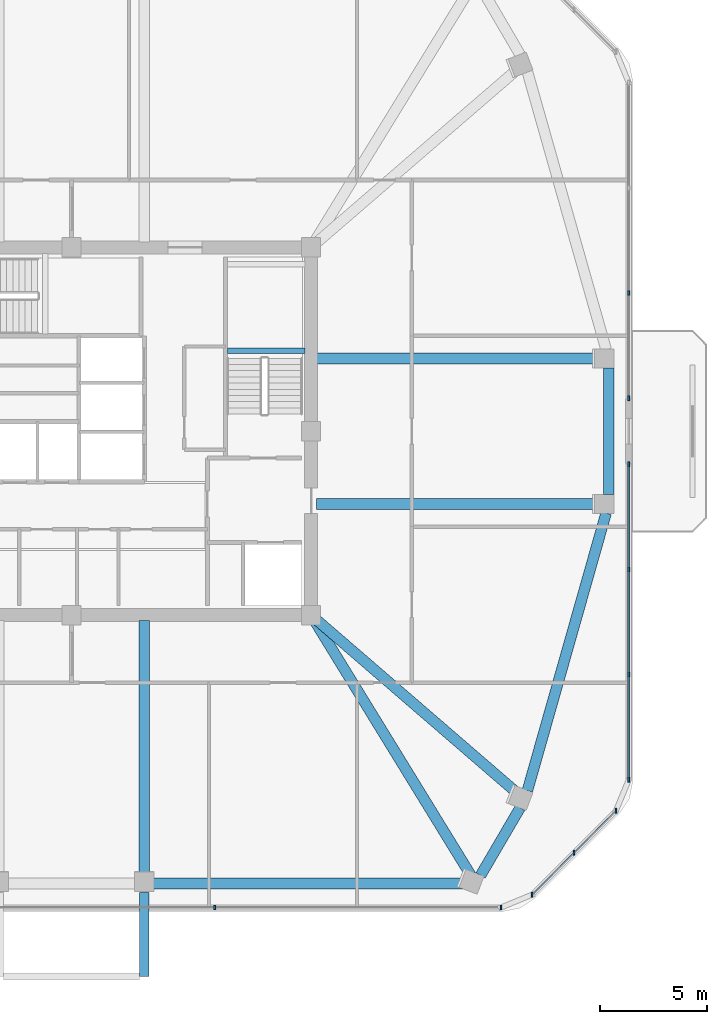
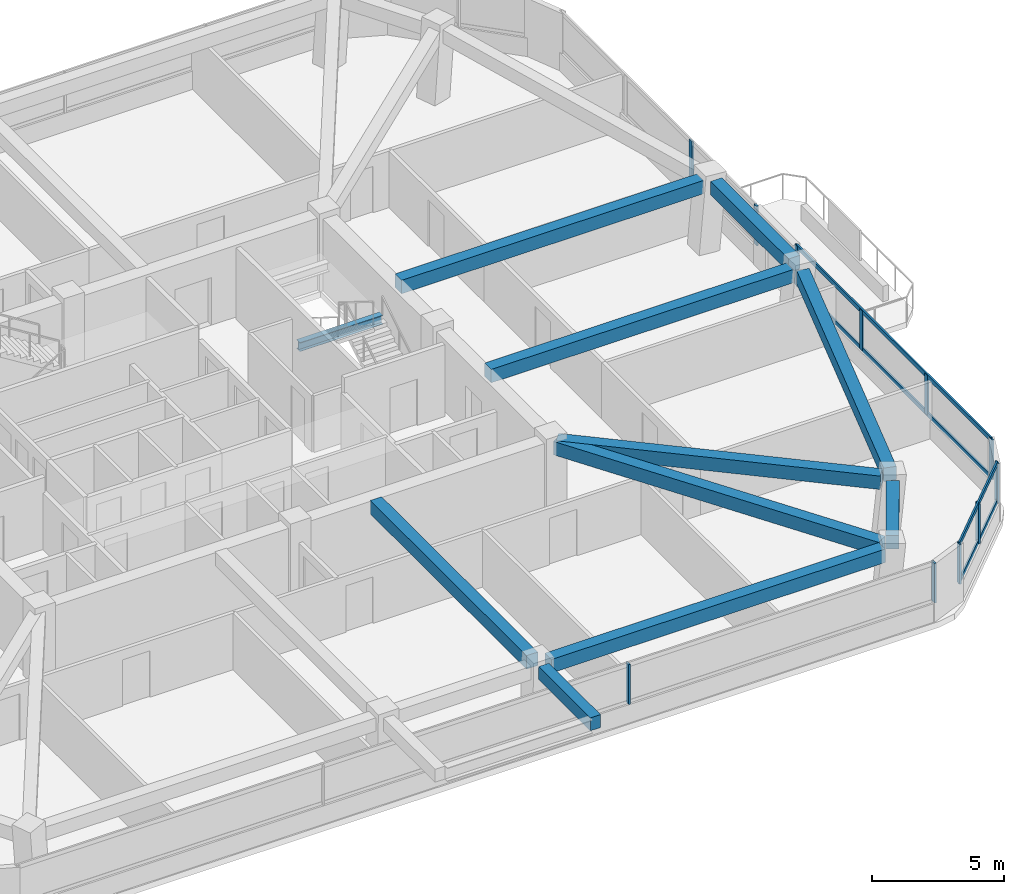
# One storey, part 5 of 14: 15 members, 11 beams, 4 elements without a shape of their own.
"""IFC4 building model written with IfcOpenShell, lengths in metres."""

from ifc_helpers import new_model, si_unit, derived_unit, direction, frame, origin, origin_2d, place, context, subcontext, project, spatial, rectangle, i_section, extrude, material, material_profile, profile_set, type_object, element, aggregate, save


model = new_model("IFC4")

# Units and contexts
model_context = context("Model", 3, precision=1e-05, world=origin(), true_north=direction((0.0, 1.0)))
body_context = subcontext(model_context, "Body", "Model", "MODEL_VIEW")
ifc_project = project(units=[si_unit("LENGTHUNIT", "METRE"), si_unit("AREAUNIT", "SQUARE_METRE"), si_unit("VOLUMEUNIT", "CUBIC_METRE"), si_unit("PLANEANGLEUNIT", "RADIAN"), si_unit("MASSUNIT", "GRAM", prefix="KILO"), derived_unit("THERMALTRANSMITTANCEUNIT", [(si_unit("POWERUNIT", "WATT"), 1), (si_unit("LENGTHUNIT", "METRE"), -2), (si_unit("THERMODYNAMICTEMPERATUREUNIT", "KELVIN"), -1)])], contexts=[model_context])

# Site, building, storey
site_placement = place(None, origin())
site = spatial("IfcSite", under=ifc_project, at=site_placement, CompositionType="ELEMENT")
building_placement = place(site_placement, origin())
building = spatial("IfcBuilding", under=site, at=building_placement, Name="Koralith Skygarden Medical Center", CompositionType="ELEMENT")
storey_placement = place(building_placement, frame((0.0, 0.0, 210.780029296875)))
storey = spatial("IfcBuildingStorey", under=building, at=storey_placement, Name="L54", CompositionType="ELEMENT", Elevation=210.780029296875)

# Curtain wall, members
ifc_material_1 = material(Name="Clear Laminated Glass", Category="glass")
curtain_wall_type = type_object("IfcCurtainWallType", Name="CW-5 Zone 4 Flare Biophilic Curtain Wall", PredefinedType="NOTDEFINED", material=ifc_material_1)
curtain_wall_1_placement = place(storey_placement, origin())
curtain_wall_1 = element("IfcCurtainWall", 1, at=curtain_wall_1_placement, inside=storey, type_object=curtain_wall_type, Name="Curtain Wall CW-L54-S", PredefinedType="NOTDEFINED")
ifc_material_2 = material(Name="Aluminium 6063-T6", Category="aluminium")
ifc_material_profile_1 = material_profile(ifc_material_2, rectangle(XDim=0.080078125, YDim=0.219970703125, at=origin_2d()), Name="MUL80X220")
ifc_profile_set_1 = profile_set([ifc_material_profile_1], Name="Aluminium 6063-T6")
member_type_1 = type_object("IfcMemberType", Name="CW-5 Extruded Mullion 80x220", PredefinedType="MULLION", material=ifc_profile_set_1)
member_1_placement = place(storey_placement, frame((43.693115234375, 3.626953125, 0.849853515625), z_axis=(0.0, 0.0, 1.0), x_axis=(1.0, 0.0, 0.0)))
member_1 = element("IfcMember", 2, at=member_1_placement, type_object=member_type_1, Name="CW-L54-S Mullion 3", PredefinedType="MULLION", context=body_context, shape_type="SweptSolid", body=[
    extrude(rectangle(XDim=0.080078125, YDim=0.219970703125, at=origin_2d()), origin(), (0.0, 0.0, 1.0), 1.840087890625),
])
member_2_placement = place(storey_placement, frame((57.080078125, 3.626953125, 0.849853515625), z_axis=(0.0, 0.0, 1.0), x_axis=(1.0, 0.0, 0.0)))
member_2 = element("IfcMember", 3, at=member_2_placement, type_object=member_type_1, Name="CW-L54-S Mullion 4", PredefinedType="MULLION", context=body_context, shape_type="SweptSolid", body=[
    extrude(rectangle(XDim=0.080078125, YDim=0.219970703125, at=origin_2d()), origin(), (0.0, 0.0, 1.0), 1.840087890625),
])
aggregate(curtain_wall_1, [member_1, member_2])

curtain_wall_2_placement = place(storey_placement, origin())
curtain_wall_2 = element("IfcCurtainWall", 4, at=curtain_wall_2_placement, inside=storey, type_object=curtain_wall_type, Name="Curtain Wall CW-L54-SE", PredefinedType="NOTDEFINED")
member_3_placement = place(storey_placement, frame((58.531005859375, 4.22802734375, 0.849853515625), z_axis=(0.0, 0.0, 1.0), x_axis=(1.0, 0.0, 0.0)))
member_3 = element("IfcMember", 5, at=member_3_placement, type_object=member_type_1, Name="CW-L54-SE Mullion 1", PredefinedType="MULLION", context=body_context, shape_type="SweptSolid", body=[
    extrude(rectangle(XDim=0.080078125, YDim=0.219970703125, at=origin_2d()), origin(), (0.0, 0.0, 1.0), 1.840087890625),
])
member_4_placement = place(storey_placement, frame((60.491943359375, 6.18896484375, 0.849853515625), z_axis=(0.0, 0.0, 1.0), x_axis=(1.0, 0.0, 0.0)))
member_4 = element("IfcMember", 6, at=member_4_placement, type_object=member_type_1, Name="CW-L54-SE Mullion 2", PredefinedType="MULLION", context=body_context, shape_type="SweptSolid", body=[
    extrude(rectangle(XDim=0.080078125, YDim=0.219970703125, at=origin_2d()), origin(), (0.0, 0.0, 1.0), 1.840087890625),
])
member_5_placement = place(storey_placement, frame((62.4541015625, 8.15087890625, 0.849853515625), z_axis=(0.0, 0.0, 1.0), x_axis=(1.0, 0.0, 0.0)))
member_5 = element("IfcMember", 7, at=member_5_placement, type_object=member_type_1, Name="CW-L54-SE Mullion 3", PredefinedType="MULLION", context=body_context, shape_type="SweptSolid", body=[
    extrude(rectangle(XDim=0.080078125, YDim=0.219970703125, at=origin_2d()), origin(), (0.0, 0.0, 1.0), 1.840087890625),
])

curtain_wall_3_placement = place(storey_placement, origin())
curtain_wall_3 = element("IfcCurtainWall", 8, at=curtain_wall_3_placement, inside=storey, type_object=curtain_wall_type, Name="Curtain Wall CW-L54-E-L", PredefinedType="NOTDEFINED")
member_6_placement = place(storey_placement, frame((63.054931640625, 9.60205078125, 0.849853515625), z_axis=(0.0, 0.0, 1.0), x_axis=(1.0, 0.0, 0.0)))
member_6 = element("IfcMember", 9, at=member_6_placement, type_object=member_type_1, Name="CW-L54-E-L Mullion 1", PredefinedType="MULLION", context=body_context, shape_type="SweptSolid", body=[
    extrude(rectangle(XDim=0.080078125, YDim=0.219970703125, at=origin_2d()), origin(), (0.0, 0.0, 1.0), 1.840087890625),
])
member_7_placement = place(storey_placement, frame((63.054931640625, 14.52099609375, 0.849853515625), z_axis=(0.0, 0.0, 1.0), x_axis=(1.0, 0.0, 0.0)))
member_7 = element("IfcMember", 10, at=member_7_placement, type_object=member_type_1, Name="CW-L54-E-L Mullion 2", PredefinedType="MULLION", context=body_context, shape_type="SweptSolid", body=[
    extrude(rectangle(XDim=0.080078125, YDim=0.219970703125, at=origin_2d()), origin(), (0.0, 0.0, 1.0), 1.840087890625),
])
member_8_placement = place(storey_placement, frame((63.054931640625, 19.43994140625, 0.849853515625), z_axis=(0.0, 0.0, 1.0), x_axis=(1.0, 0.0, 0.0)))
member_8 = element("IfcMember", 11, at=member_8_placement, type_object=member_type_1, Name="CW-L54-E-L Mullion 3", PredefinedType="MULLION", context=body_context, shape_type="SweptSolid", body=[
    extrude(rectangle(XDim=0.080078125, YDim=0.219970703125, at=origin_2d()), origin(), (0.0, 0.0, 1.0), 1.840087890625),
])
member_9_placement = place(storey_placement, frame((63.054931640625, 24.35888671875, 0.849853515625), z_axis=(0.0, 0.0, 1.0), x_axis=(1.0, 0.0, 0.0)))
member_9 = element("IfcMember", 12, at=member_9_placement, type_object=member_type_1, Name="CW-L54-E-L Mullion 4", PredefinedType="MULLION", context=body_context, shape_type="SweptSolid", body=[
    extrude(rectangle(XDim=0.080078125, YDim=0.219970703125, at=origin_2d()), origin(), (0.0, 0.0, 1.0), 1.840087890625),
])

curtain_wall_4_placement = place(storey_placement, origin())
curtain_wall_4 = element("IfcCurtainWall", 13, at=curtain_wall_4_placement, inside=storey, type_object=curtain_wall_type, Name="Curtain Wall CW-L54-E-R", PredefinedType="NOTDEFINED")
member_10_placement = place(storey_placement, frame((63.054931640625, 27.43896484375, 0.849853515625), z_axis=(0.0, 0.0, 1.0), x_axis=(1.0, 0.0, 0.0)))
member_10 = element("IfcMember", 14, at=member_10_placement, type_object=member_type_1, Name="CW-L54-E-R Mullion 1", PredefinedType="MULLION", context=body_context, shape_type="SweptSolid", body=[
    extrude(rectangle(XDim=0.080078125, YDim=0.219970703125, at=origin_2d()), origin(), (0.0, 0.0, 1.0), 1.840087890625),
])
member_11_placement = place(storey_placement, frame((63.054931640625, 32.35888671875, 0.849853515625), z_axis=(0.0, 0.0, 1.0), x_axis=(1.0, 0.0, 0.0)))
member_11 = element("IfcMember", 15, at=member_11_placement, type_object=member_type_1, Name="CW-L54-E-R Mullion 2", PredefinedType="MULLION", context=body_context, shape_type="SweptSolid", body=[
    extrude(rectangle(XDim=0.080078125, YDim=0.219970703125, at=origin_2d()), origin(), (0.0, 0.0, 1.0), 1.840087890625),
])
aggregate(curtain_wall_4, [member_10, member_11])

# Member
ifc_material_profile_2 = material_profile(ifc_material_2, rectangle(XDim=0.074951171875, YDim=0.197998046875, at=origin_2d()), Name="TRN75X198")
ifc_profile_set_2 = profile_set([ifc_material_profile_2], Name="Aluminium 6063-T6")
member_type_2 = type_object("IfcMemberType", Name="CW-5 Thermal Transom 75x198", PredefinedType="USERDEFINED", material=ifc_profile_set_2)
member_12_placement = place(storey_placement, frame((58.531005859375, 4.22802734375, 0.89990234375), z_axis=(0.707128783731, 0.707084777957, 0.0), x_axis=(-0.707084777957, 0.707128783731, 0.0)))
member_12 = element("IfcMember", 16, at=member_12_placement, type_object=member_type_2, Name="CW-L54-SE Transom 1", ObjectType="TRANSOM", PredefinedType="USERDEFINED", context=body_context, shape_type="SweptSolid", body=[
    extrude(rectangle(XDim=0.074951171875, YDim=0.197998046875, at=origin_2d()), origin(), (0.0, 0.0, 1.0), 5.5478515625),
])

member_13_placement = place(storey_placement, frame((58.531005859375, 4.22802734375, 2.639892578125), z_axis=(0.707128783731, 0.707084777957, 0.0), x_axis=(-0.707084777957, 0.707128783731, 0.0)))
member_13 = element("IfcMember", 17, at=member_13_placement, type_object=member_type_2, Name="CW-L54-SE Transom 2", ObjectType="TRANSOM", PredefinedType="USERDEFINED", context=body_context, shape_type="SweptSolid", body=[
    extrude(rectangle(XDim=0.074951171875, YDim=0.197998046875, at=origin_2d()), origin(), (0.0, 0.0, 1.0), 5.5478515625),
])

aggregate(curtain_wall_2, [member_3, member_4, member_5, member_12, member_13])

member_14_placement = place(storey_placement, frame((63.054931640625, 9.60205078125, 0.89990234375), z_axis=(0.0, 1.0, 0.0), x_axis=(-1.0, 0.0, 0.0)))
member_14 = element("IfcMember", 18, at=member_14_placement, type_object=member_type_2, Name="CW-L54-E-L Transom 1", ObjectType="TRANSOM", PredefinedType="USERDEFINED", context=body_context, shape_type="SweptSolid", body=[
    extrude(rectangle(XDim=0.074951171875, YDim=0.197998046875, at=origin_2d()), origin(), (0.0, 0.0, 1.0), 14.7568359375),
])

member_15_placement = place(storey_placement, frame((63.054931640625, 9.60205078125, 2.639892578125), z_axis=(0.0, 1.0, 0.0), x_axis=(-1.0, 0.0, 0.0)))
member_15 = element("IfcMember", 19, at=member_15_placement, type_object=member_type_2, Name="CW-L54-E-L Transom 2", ObjectType="TRANSOM", PredefinedType="USERDEFINED", context=body_context, shape_type="SweptSolid", body=[
    extrude(rectangle(XDim=0.074951171875, YDim=0.197998046875, at=origin_2d()), origin(), (0.0, 0.0, 1.0), 14.7568359375),
])

aggregate(curtain_wall_3, [member_6, member_7, member_8, member_9, member_14, member_15])

# Beams
ifc_material_3 = material(Name="Steel ASTM A992 Grade 50", Category="steel")
ifc_material_profile_3 = material_profile(ifc_material_3, i_section(OverallWidth=0.260009765625, OverallDepth=0.4150390625, WebThickness=0.010009765625, FlangeThickness=0.016845703125, at=origin_2d()), Name="W16X67")
ifc_profile_set_3 = profile_set([ifc_material_profile_3], Name="Steel ASTM A992 Grade 50")
beam_type_1 = type_object("IfcBeamType", Name="Clinical Floor Joist W16X67", PredefinedType="JOIST", material=ifc_profile_set_3)
beam_1_placement = place(storey_placement, frame((44.280029296875, 29.659912109375, 1.39306640625), z_axis=(1.0, 0.0, 0.0), x_axis=(0.0, 1.0, 0.0)))
element("IfcBeam", 20, at=beam_1_placement, inside=storey, type_object=beam_type_1, Name="L54 Stair ST2 Half-Landing Support Beam 1A", PredefinedType="JOIST", context=body_context, shape_type="SweptSolid", body=[
    extrude(i_section(OverallWidth=0.260009765625, OverallDepth=0.4150390625, WebThickness=0.010009765625, FlangeThickness=0.016845703125, at=origin_2d()), origin(), (0.0, 0.0, 1.0), 3.639892578125),
])
ifc_material_4 = material(Name="Concrete C45/55", Category="concrete")
ifc_material_profile_4 = material_profile(ifc_material_4, rectangle(XDim=0.449951171875, YDim=0.60009765625, at=origin_2d()), Name="RCB450X600")
ifc_profile_set_4 = profile_set([ifc_material_profile_4], Name="Concrete C45/55")
beam_type_2 = type_object("IfcBeamType", Name="Planted Balcony Cantilever Beam RCB450X600", PredefinedType="BEAM", material=ifc_profile_set_4)
beam_2_placement = place(storey_placement, frame((40.39990234375, 4.322021484375, 3.0400390625), z_axis=(0.0, -1.0, 0.0), x_axis=(1.0, 0.0, 0.0)))
element("IfcBeam", 21, at=beam_2_placement, inside=storey, type_object=beam_type_2, Name="L55 S Balcony Cantilever Beam B", PredefinedType="BEAM", context=body_context, shape_type="SweptSolid", body=[
    extrude(rectangle(XDim=0.449951171875, YDim=0.60009765625, at=origin_2d()), origin(), (0.0, 0.0, 1.0), 3.919921875),
])
ifc_material_profile_5 = material_profile(ifc_material_4, rectangle(XDim=0.5, YDim=0.6201171875, at=origin_2d()), Name="RCB500X620")
ifc_profile_set_5 = profile_set([ifc_material_profile_5], Name="Concrete C45/55")
beam_type_3 = type_object("IfcBeamType", Name="Upper Radial Collector Beam RCB500X620", PredefinedType="BEAM", material=ifc_profile_set_5)
beam_3_placement = place(storey_placement, frame((40.39990234375, 17.050048828125, 3.010009765625), z_axis=(0.0, -1.0, 0.0), x_axis=(1.0, 0.0, 0.0)))
element("IfcBeam", 22, at=beam_3_placement, inside=storey, type_object=beam_type_3, Name="L54 Radial Collector Beam RB-05", PredefinedType="BEAM", context=body_context, shape_type="SweptSolid", body=[
    extrude(rectangle(XDim=0.5, YDim=0.6201171875, at=origin_2d()), origin(), (0.0, 0.0, 1.0), 11.858154296875),
])
beam_4_placement = place(storey_placement, frame((48.3310546875, 17.0869140625, 3.010009765625), z_axis=(0.523271233337, -0.852166190576, 0.0), x_axis=(0.852166190576, 0.523271233337, 0.0)))
element("IfcBeam", 23, at=beam_4_placement, inside=storey, type_object=beam_type_3, Name="L54 Radial Collector Beam RB-06", PredefinedType="BEAM", context=body_context, shape_type="SweptSolid", body=[
    extrude(rectangle(XDim=0.5, YDim=0.6201171875, at=origin_2d()), origin(), (0.0, 0.0, 1.0), 14.03466796875),
])
beam_5_placement = place(storey_placement, frame((48.388916015625, 17.136962890625, 3.010009765625), z_axis=(0.757022971029, -0.653388262318, 0.0), x_axis=(0.653388262318, 0.757022971029, 0.0)))
element("IfcBeam", 24, at=beam_5_placement, inside=storey, type_object=beam_type_3, Name="L54 Radial Collector Beam RB-07", PredefinedType="BEAM", context=body_context, shape_type="SweptSolid", body=[
    extrude(rectangle(XDim=0.5, YDim=0.6201171875, at=origin_2d()), origin(), (0.0, 0.0, 1.0), 12.516357421875),
])
for number, where, z_axis, x_axis, name in (
    (25, (48.449951171875, 22.5, 3.010009765625), (1.0, 0.0, 0.0), (0.0, 1.0, 0.0), "L54 Radial Collector Beam RB-08"),
    (26, (48.449951171875, 29.300048828125, 3.010009765625), (1.0, 0.0, 0.0), (0.0, 1.0, 0.0), "L54 Radial Collector Beam RB-09"),
):
    element("IfcBeam", number, at=place(storey_placement, frame(where, z_axis=z_axis, x_axis=x_axis)), inside=storey, type_object=beam_type_3, Name=name, PredefinedType="BEAM", context=body_context, shape_type="SweptSolid", body=[
        extrude(rectangle(XDim=0.5, YDim=0.6201171875, at=origin_2d()), origin(), (0.0, 0.0, 1.0), 13.22705078125),
    ])
ifc_material_profile_6 = material_profile(ifc_material_4, rectangle(XDim=0.5, YDim=0.6201171875, at=origin_2d()), Name="RCB500X620")
ifc_profile_set_6 = profile_set([ifc_material_profile_6], Name="Concrete C45/55")
beam_type_4 = type_object("IfcBeamType", Name="Zone 4-5 Spandrel Beam RCB500X620", PredefinedType="SPANDREL", material=ifc_profile_set_6)
beam_6_placement = place(storey_placement, frame((40.840087890625, 4.751953125, 3.010009765625), z_axis=(1.0, 0.0, 0.0), x_axis=(0.0, 1.0, 0.0)))
element("IfcBeam", 27, at=beam_6_placement, inside=storey, type_object=beam_type_4, Name="L54 Perimeter Spandrel Beam SP-05", PredefinedType="SPANDREL", context=body_context, shape_type="SweptSolid", body=[
    extrude(rectangle(XDim=0.5, YDim=0.6201171875, at=origin_2d()), origin(), (0.0, 0.0, 1.0), 14.625),
])
beam_7_placement = place(storey_placement, frame((56.126953125, 5.132080078125, 3.010009765625), z_axis=(0.504861750403, 0.863200216045, 0.0), x_axis=(-0.863200216045, 0.504861750403, 0.0)))
element("IfcBeam", 28, at=beam_7_placement, inside=storey, type_object=beam_type_4, Name="L54 Perimeter Spandrel Beam SP-06", PredefinedType="SPANDREL", context=body_context, shape_type="SweptSolid", body=[
    extrude(rectangle(XDim=0.5, YDim=0.6201171875, at=origin_2d()), origin(), (0.0, 0.0, 1.0), 3.66064453125),
])
beam_8_placement = place(storey_placement, frame((58.31689453125, 9.094970703125, 3.010009765625), z_axis=(0.272737117429, 0.962088595077, 0.0), x_axis=(-0.962088595077, 0.272737117429, 0.0)))
element("IfcBeam", 29, at=beam_8_placement, inside=storey, type_object=beam_type_4, Name="L54 Perimeter Spandrel Beam SP-07", PredefinedType="SPANDREL", context=body_context, shape_type="SweptSolid", body=[
    extrude(rectangle(XDim=0.5, YDim=0.6201171875, at=origin_2d()), origin(), (0.0, 0.0, 1.0), 13.493408203125),
])
beam_9_placement = place(storey_placement, frame((62.116943359375, 22.93994140625, 3.010009765625), z_axis=(0.0, 1.0, 0.0), x_axis=(-1.0, 0.0, 0.0)))
element("IfcBeam", 30, at=beam_9_placement, inside=storey, type_object=beam_type_4, Name="L54 Perimeter Spandrel Beam SP-08", PredefinedType="SPANDREL", context=body_context, shape_type="SweptSolid", body=[
    extrude(rectangle(XDim=0.5, YDim=0.6201171875, at=origin_2d()), origin(), (0.0, 0.0, 1.0), 5.920166015625),
])

save(model, "model.ifc")
